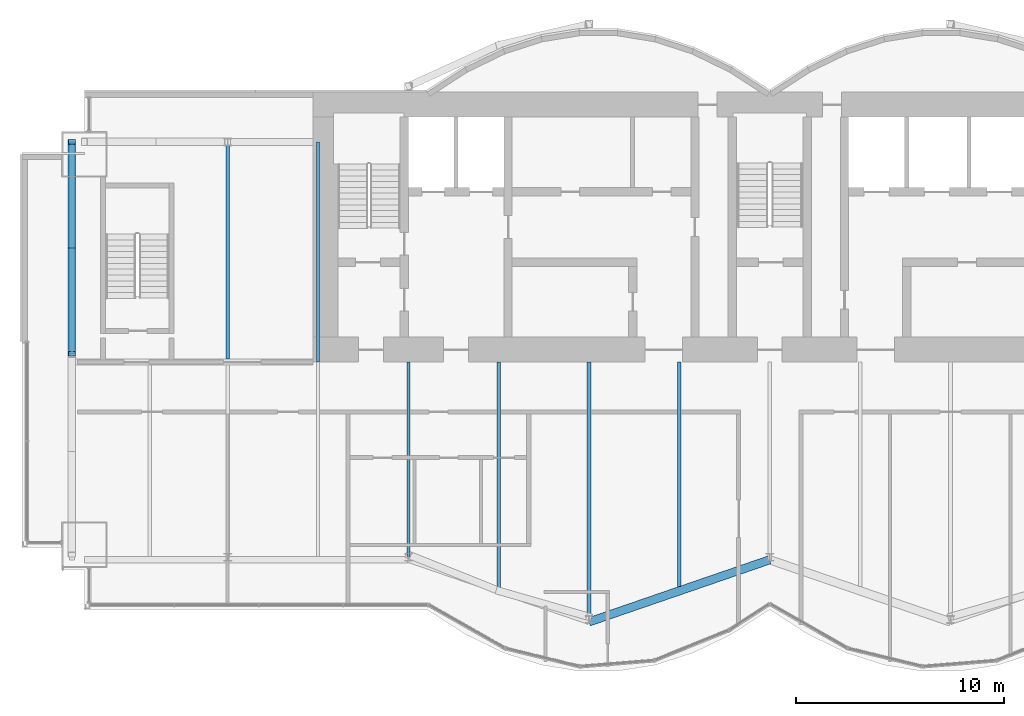
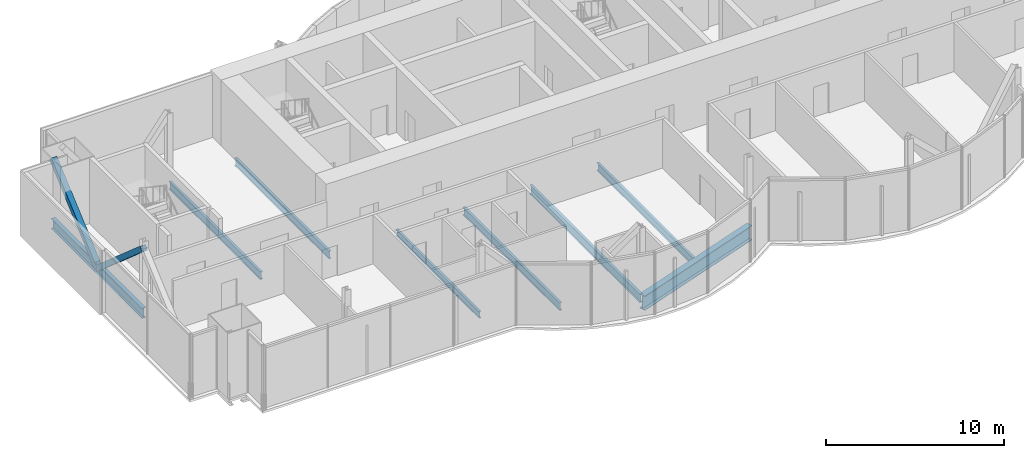
# One storey, part 4 of 16: 8 beams, 2 members.
"""IFC4 building model written with IfcOpenShell, lengths in metres."""

from ifc_helpers import new_model, si_unit, direction, frame, origin, origin_2d, place, context, subcontext, project, spatial, hollow_rectangle, i_section, extrude, material, material_profile, profile_set, type_object, element, save


model = new_model("IFC4")

# Units and contexts
model_context = context("Model", 3, precision=1e-05, world=origin(), true_north=direction((0.0, 1.0)))
body_context = subcontext(model_context, "Body", "Model", "MODEL_VIEW")
ifc_project = project(units=[si_unit("LENGTHUNIT", "METRE"), si_unit("AREAUNIT", "SQUARE_METRE"), si_unit("VOLUMEUNIT", "CUBIC_METRE"), si_unit("PLANEANGLEUNIT", "RADIAN"), si_unit("MASSUNIT", "GRAM", prefix="KILO")], contexts=[model_context])

# Site, building, storey
site_placement = place(None, origin())
site = spatial("IfcSite", under=ifc_project, at=site_placement, CompositionType="ELEMENT")
building_placement = place(site_placement, origin())
building = spatial("IfcBuilding", under=site, at=building_placement, Name="Bicima Exchange Tower", CompositionType="ELEMENT")
storey_placement = place(building_placement, frame((0.0, 0.0, 338.0)))
storey = spatial("IfcBuildingStorey", under=building, at=storey_placement, Name="L76", CompositionType="ELEMENT", Elevation=338.0)

# Beams
ifc_material_1 = material(Name="Steel ASTM A992 Gr 50", Category="steel")
ifc_material_profile_1 = material_profile(ifc_material_1, i_section(OverallWidth=0.256591796875, OverallDepth=0.693359375, WebThickness=0.014404296875, FlangeThickness=0.023681640625, at=origin_2d()))
ifc_profile_set_1 = profile_set([ifc_material_profile_1], Name="Steel ASTM A992 Gr 50")
beam_type_1 = type_object("IfcBeamType", Name="End girder W27x114", PredefinedType="BEAM", material=ifc_profile_set_1)
beam_1_placement = place(storey_placement, frame((-33.60009765625, -2.39990234375, -0.49658203125), z_axis=(0.0, -1.0, 0.0), x_axis=(1.0, 0.0, 0.0)))
element("IfcBeam", 1, at=beam_1_placement, inside=storey, type_object=beam_type_1, Name="End girder", PredefinedType="BEAM", context=body_context, shape_type="SweptSolid", body=[
    extrude(i_section(OverallWidth=0.256591796875, OverallDepth=0.693359375, WebThickness=0.014404296875, FlangeThickness=0.023681640625, at=origin_2d()), origin(), (0.0, 0.0, 1.0), 10.2001953125),
])
ifc_material_profile_2 = material_profile(ifc_material_1, i_section(OverallWidth=0.15283203125, OverallDepth=0.45458984375, WebThickness=0.008056640625, FlangeThickness=0.013427734375, at=origin_2d()))
ifc_profile_set_2 = profile_set([ifc_material_profile_2], Name="Steel ASTM A992 Gr 50")
beam_type_2 = type_object("IfcBeamType", Name="Floor beam W18x40", PredefinedType="JOIST", material=ifc_profile_set_2)
beam_2_placement = place(storey_placement, frame((-17.39990234375, -13.0, -0.377197265625), z_axis=(0.0, -1.0, 0.0), x_axis=(1.0, 0.0, 0.0)))
element("IfcBeam", 2, at=beam_2_placement, inside=storey, type_object=beam_type_2, Name="Floor beam", PredefinedType="JOIST", context=body_context, shape_type="SweptSolid", body=[
    extrude(i_section(OverallWidth=0.15283203125, OverallDepth=0.45458984375, WebThickness=0.008056640625, FlangeThickness=0.013427734375, at=origin_2d()), origin(), (0.0, 0.0, 1.0), 9.357421875),
])
ifc_material_profile_3 = material_profile(ifc_material_1, i_section(OverallWidth=0.165771484375, OverallDepth=0.5283203125, WebThickness=0.009765625, FlangeThickness=0.013671875, at=origin_2d()))
ifc_profile_set_3 = profile_set([ifc_material_profile_3], Name="Steel ASTM A992 Gr 50")
beam_type_3 = type_object("IfcBeamType", Name="Floor beam W21x50", PredefinedType="JOIST", material=ifc_profile_set_3)
beam_3_placement = place(storey_placement, frame((-26.10009765625, -2.5625, -0.414306640625), z_axis=(0.0, -1.0, 0.0), x_axis=(1.0, 0.0, 0.0)))
element("IfcBeam", 3, at=beam_3_placement, inside=storey, type_object=beam_type_3, Name="Floor beam", PredefinedType="JOIST", context=body_context, shape_type="SweptSolid", body=[
    extrude(i_section(OverallWidth=0.165771484375, OverallDepth=0.5283203125, WebThickness=0.009765625, FlangeThickness=0.013671875, at=origin_2d()), origin(), (0.0, 0.0, 1.0), 10.28515625),
])
beam_4_placement = place(storey_placement, frame((-21.75, -2.39990234375, -0.414306640625), z_axis=(0.0, -1.0, 0.0), x_axis=(1.0, 0.0, 0.0)))
element("IfcBeam", 4, at=beam_4_placement, inside=storey, type_object=beam_type_3, Name="Floor beam", PredefinedType="JOIST", context=body_context, shape_type="SweptSolid", body=[
    extrude(i_section(OverallWidth=0.165771484375, OverallDepth=0.5283203125, WebThickness=0.009765625, FlangeThickness=0.013671875, at=origin_2d()), origin(), (0.0, 0.0, 1.0), 10.60009765625),
])
beam_5_placement = place(storey_placement, frame((-13.050048828125, -13.0, -0.414306640625), z_axis=(0.0, -1.0, 0.0), x_axis=(1.0, 0.0, 0.0)))
element("IfcBeam", 5, at=beam_5_placement, inside=storey, type_object=beam_type_3, Name="Floor beam", PredefinedType="JOIST", context=body_context, shape_type="SweptSolid", body=[
    extrude(i_section(OverallWidth=0.165771484375, OverallDepth=0.5283203125, WebThickness=0.009765625, FlangeThickness=0.013671875, at=origin_2d()), origin(), (0.0, 0.0, 1.0), 10.8798828125),
])
beam_6_placement = place(storey_placement, frame((-4.35009765625, -13.0, -0.414306640625), z_axis=(0.0, -1.0, 0.0), x_axis=(1.0, 0.0, 0.0)))
element("IfcBeam", 6, at=beam_6_placement, inside=storey, type_object=beam_type_3, Name="Floor beam", PredefinedType="JOIST", context=body_context, shape_type="SweptSolid", body=[
    extrude(i_section(OverallWidth=0.165771484375, OverallDepth=0.5283203125, WebThickness=0.009765625, FlangeThickness=0.013671875, at=origin_2d()), origin(), (0.0, 0.0, 1.0), 10.80322265625),
])
ifc_material_profile_4 = material_profile(ifc_material_1, i_section(OverallWidth=0.177978515625, OverallDepth=0.599365234375, WebThickness=0.010009765625, FlangeThickness=0.012939453125, at=origin_2d()))
ifc_profile_set_4 = profile_set([ifc_material_profile_4], Name="Steel ASTM A992 Gr 50")
beam_type_4 = type_object("IfcBeamType", Name="Floor beam W24x55", PredefinedType="JOIST", material=ifc_profile_set_4)
beam_7_placement = place(storey_placement, frame((-8.699951171875, -13.0, -0.44970703125), z_axis=(0.0, -1.0, 0.0), x_axis=(1.0, 0.0, 0.0)))
element("IfcBeam", 7, at=beam_7_placement, inside=storey, type_object=beam_type_4, Name="Floor beam", PredefinedType="JOIST", context=body_context, shape_type="SweptSolid", body=[
    extrude(i_section(OverallWidth=0.177978515625, OverallDepth=0.599365234375, WebThickness=0.010009765625, FlangeThickness=0.012939453125, at=origin_2d()), origin(), (0.0, 0.0, 1.0), 12.37548828125),
])
ifc_material_profile_5 = material_profile(ifc_material_1, i_section(OverallWidth=0.4013671875, OverallDepth=0.990478515625, WebThickness=0.0166015625, FlangeThickness=0.031005859375, at=origin_2d()))
ifc_profile_set_5 = profile_set([ifc_material_profile_5], Name="Steel ASTM A992 Gr 50")
beam_type_5 = type_object("IfcBeamType", Name="Front girder W40x215", PredefinedType="BEAM", material=ifc_profile_set_5)
beam_8_placement = place(storey_placement, frame((-8.699951171875, -25.510986328125, -0.645263671875), z_axis=(0.945674616091, 0.32511462668, 0.0), x_axis=(-0.32511462668, 0.945674616091, 0.0)))
element("IfcBeam", 8, at=beam_8_placement, inside=storey, type_object=beam_type_5, Name="Front girder", PredefinedType="BEAM", context=body_context, shape_type="SweptSolid", body=[
    extrude(i_section(OverallWidth=0.4013671875, OverallDepth=0.990478515625, WebThickness=0.0166015625, FlangeThickness=0.031005859375, at=origin_2d()), origin(), (0.0, 0.0, 1.0), 9.19970703125),
])

# Members
ifc_material_2 = material(Name="Steel ASTM A572 Gr 50", Category="steel")
ifc_material_profile_6 = material_profile(ifc_material_2, hollow_rectangle(XDim=0.355712890625, YDim=0.355712890625, WallThickness=0.01171875, at=origin_2d()))
ifc_profile_set_6 = profile_set([ifc_material_profile_6], Name="Steel ASTM A572 Gr 50")
member_type = type_object("IfcMemberType", Name="Mega brace HSS14x14x1/2", PredefinedType="BRACE", material=ifc_profile_set_6)
for number, where, z_axis, x_axis, name in (
    (9, (-33.60009765625, -7.5, -0.49658203125), (0.0, -0.753501002408, 0.657446757822), (1.0, 0.0, 0.0), "Mega brace west end"),
    (10, (-33.60009765625, -7.5, -0.49658203125), (0.0, 0.753501002408, 0.657446757822), (-1.0, 0.0, 0.0), "Mega brace west end"),
):
    element("IfcMember", number, at=place(storey_placement, frame(where, z_axis=z_axis, x_axis=x_axis)), inside=storey, type_object=member_type, Name=name, PredefinedType="BRACE", context=body_context, shape_type="SweptSolid", body=[
        extrude(hollow_rectangle(XDim=0.355712890625, YDim=0.355712890625, WallThickness=0.01171875, at=origin_2d()), origin(), (0.0, 0.0, 1.0), 6.7685546875),
    ])

save(model, "model.ifc")
